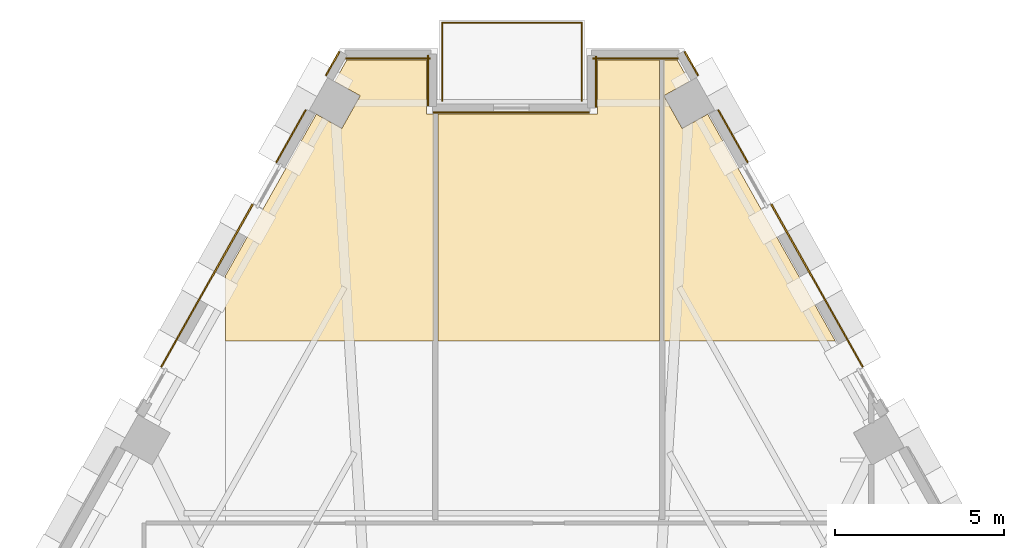
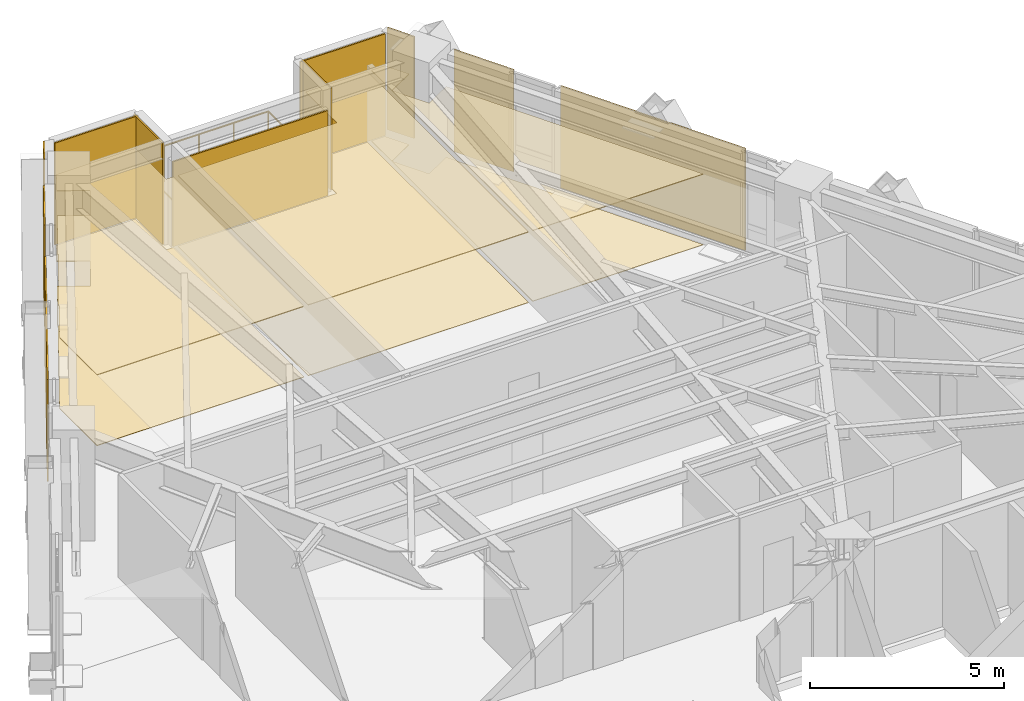
# One storey, part 13 of 13: 17 coverings, 1 railing.
"""IFC4 building model written with IfcOpenShell, lengths in metres."""

from ifc_helpers import new_model, si_unit, direction, frame, origin, origin_2d, place, context, subcontext, project, spatial, polyline, circle, outline, extrude, material, layer, layer_set, type_object, element, save


model = new_model("IFC4")

# Units and contexts
model_context = context("Model", 3, precision=1e-05, world=origin(), true_north=direction((0.0, 1.0)))
body_context = subcontext(model_context, "Body", "Model", "MODEL_VIEW")
ifc_project = project(units=[si_unit("LENGTHUNIT", "METRE"), si_unit("AREAUNIT", "SQUARE_METRE"), si_unit("VOLUMEUNIT", "CUBIC_METRE"), si_unit("PLANEANGLEUNIT", "RADIAN"), si_unit("MASSUNIT", "GRAM", prefix="KILO")], contexts=[model_context])

# Site, building, storey
site_placement = place(None, origin())
site = spatial("IfcSite", under=ifc_project, at=site_placement, CompositionType="ELEMENT")
building_placement = place(site_placement, origin())
building = spatial("IfcBuilding", under=site, at=building_placement, Name="Quenlor Broadcast Tower", CompositionType="ELEMENT")
storey_placement = place(building_placement, frame((0.0, 0.0, 95.0)))
storey = spatial("IfcBuildingStorey", under=building, at=storey_placement, Name="L25", CompositionType="ELEMENT", Elevation=95.0)

# Coverings
ifc_material_1 = material(Name="Acoustic Mineral Fibre Board", Category="other")
ifc_layer_1 = layer(ifc_material_1, 0.02490234375)
ifc_layer_set_1 = layer_set([ifc_layer_1], Name="Acoustic Perforated Mineral Tile Ceiling 25")
covering_type_1 = type_object("IfcCoveringType", Name="Acoustic Perforated Mineral Tile Ceiling 25", PredefinedType="CEILING", material=ifc_layer_set_1)
covering_1_placement = place(storey_placement, frame((0.0, 0.0, 2.22509765625)))
element("IfcCovering", 1, at=covering_1_placement, inside=storey, type_object=covering_type_1, Name="L25 Acoustic Ceiling L25-31-2", PredefinedType="CEILING", context=body_context, shape_type="SweptSolid", body=[
    extrude(outline(polyline([(4.3798828125, 12.64990234375), (-2.199951171875, 12.64990234375), (-2.199951171875, 19.387939453125), (2.5400390625, 19.387939453125), (2.5400390625, 20.988037109375), (4.3798828125, 20.988037109375), (4.3798828125, 12.64990234375)])), origin(), (0.0, 0.0, 1.0), 0.02490234375),
])
covering_2_placement = place(storey_placement, frame((0.0, 0.0, 2.22509765625)))
element("IfcCovering", 2, at=covering_2_placement, inside=storey, type_object=covering_type_1, Name="L25 Acoustic Ceiling L25-32-2", PredefinedType="CEILING", context=body_context, shape_type="SweptSolid", body=[
    extrude(outline(polyline([(-2.320068359375, 19.387939453125), (-2.320068359375, 12.64990234375), (-8.5, 12.64990234375), (-8.5, 14.595458984375), (-5.805908203125, 19.384765625), (-5.049560546875, 18.959228515625), (-4.50244140625, 19.931884765625), (-5.2587890625, 20.357421875), (-4.904296875, 20.988037109375), (-2.5400390625, 20.988037109375), (-2.5400390625, 19.387939453125), (-2.320068359375, 19.387939453125)])), origin(), (0.0, 0.0, 1.0), 0.02490234375),
])
covering_3_placement = place(storey_placement, frame((0.0, 0.0, 2.22509765625)))
element("IfcCovering", 3, at=covering_3_placement, inside=storey, type_object=covering_type_1, Name="L25 Acoustic Ceiling L25-33-2", PredefinedType="CEILING", context=body_context, shape_type="SweptSolid", body=[
    extrude(outline(polyline([(5.049560546875, 18.959228515625), (5.805908203125, 19.384765625), (9.59423828125, 12.64990234375), (4.5, 12.64990234375), (4.5, 20.988037109375), (4.904296875, 20.988037109375), (5.2587890625, 20.357421875), (4.50244140625, 19.931884765625), (5.049560546875, 18.959228515625)])), origin(), (0.0, 0.0, 1.0), 0.02490234375),
])
ifc_material_2 = material(Name="Architectural Terracotta Ceramic", Category="masonry")
ifc_layer_2 = layer(ifc_material_2, 0.044921875)
ifc_layer_set_2 = layer_set([ifc_layer_2], Name="Fluted Terracotta Rainscreen Cladding Panel")
covering_type_2 = type_object("IfcCoveringType", Name="Fluted Terracotta Rainscreen Cladding Panel", PredefinedType="CLADDING", material=ifc_layer_set_2)
covering_4_placement = place(storey_placement, frame((0.0, 0.0, 0.02001953125)))
element("IfcCovering", 4, at=covering_4_placement, inside=storey, type_object=covering_type_2, Name="L25 Terracotta Rainscreen Cladding L25-SHD-NES0", PredefinedType="CLADDING", context=body_context, shape_type="SweptSolid", body=[
    extrude(outline(polyline([(5.105224609375, 21.22607421875), (5.5, 20.524169921875), (5.539306640625, 20.546142578125), (5.144287109375, 21.248046875), (5.105224609375, 21.22607421875)])), origin(), (0.0, 0.0, 1.0), 3.2099609375),
])
covering_5_placement = place(storey_placement, frame((0.0, 0.0, 0.02001953125)))
element("IfcCovering", 5, at=covering_5_placement, inside=storey, type_object=covering_type_2, Name="L25 Terracotta Rainscreen Cladding L25-NEA-SP1", PredefinedType="CLADDING", context=body_context, shape_type="SweptSolid", body=[
    extrude(outline(polyline([(6.10107421875, 19.496826171875), (6.97509765625, 17.9423828125), (7.014404296875, 17.964599609375), (6.14013671875, 19.518798828125), (6.10107421875, 19.496826171875)])), origin(), (0.0, 0.0, 1.0), 3.2099609375),
])
covering_6_placement = place(storey_placement, frame((0.0, 0.0, 0.02001953125)))
element("IfcCovering", 6, at=covering_6_placement, inside=storey, type_object=covering_type_2, Name="L25 Terracotta Rainscreen Cladding L25-NEA-SP2", PredefinedType="CLADDING", context=body_context, shape_type="SweptSolid", body=[
    extrude(outline(polyline([(7.673583984375, 16.700927734375), (10.38818359375, 11.874755859375), (10.427490234375, 11.896728515625), (7.712890625, 16.722900390625), (7.673583984375, 16.700927734375)])), origin(), (0.0, 0.0, 1.0), 3.2099609375),
])
covering_7_placement = place(storey_placement, frame((0.0, 0.0, 0.02001953125)))
element("IfcCovering", 7, at=covering_7_placement, inside=storey, type_object=covering_type_2, Name="L25 Terracotta Rainscreen Cladding L25-SHD-NWS1", PredefinedType="CLADDING", context=body_context, shape_type="SweptSolid", body=[
    extrude(outline(polyline([(-5.5, 20.524169921875), (-5.105224609375, 21.22607421875), (-5.144287109375, 21.248046875), (-5.539306640625, 20.546142578125), (-5.5, 20.524169921875)])), origin(), (0.0, 0.0, 1.0), 3.2099609375),
])
covering_8_placement = place(storey_placement, frame((0.0, 0.0, 0.02001953125)))
element("IfcCovering", 8, at=covering_8_placement, inside=storey, type_object=covering_type_2, Name="L25 Terracotta Rainscreen Cladding L25-NWC-SP2", PredefinedType="CLADDING", context=body_context, shape_type="SweptSolid", body=[
    extrude(outline(polyline([(-10.38818359375, 11.874755859375), (-7.673583984375, 16.700927734375), (-7.712890625, 16.722900390625), (-10.427490234375, 11.896728515625), (-10.38818359375, 11.874755859375)])), origin(), (0.0, 0.0, 1.0), 3.2099609375),
])
covering_9_placement = place(storey_placement, frame((0.0, 0.0, 0.02001953125)))
element("IfcCovering", 9, at=covering_9_placement, inside=storey, type_object=covering_type_2, Name="L25 Terracotta Rainscreen Cladding L25-NWC-SP3", PredefinedType="CLADDING", context=body_context, shape_type="SweptSolid", body=[
    extrude(outline(polyline([(-6.97509765625, 17.9423828125), (-6.10107421875, 19.496826171875), (-6.14013671875, 19.518798828125), (-7.014404296875, 17.964599609375), (-6.97509765625, 17.9423828125)])), origin(), (0.0, 0.0, 1.0), 3.2099609375),
])
covering_10_placement = place(storey_placement, frame((0.0, 0.0, 0.02001953125)))
element("IfcCovering", 10, at=covering_10_placement, inside=storey, type_object=covering_type_2, Name="L25 Terracotta Rainscreen Cladding L25-CNR-06", PredefinedType="CLADDING", context=body_context, shape_type="SweptSolid", body=[
    extrude(outline(polyline([(4.929443359375, 21.055908203125), (2.389892578125, 21.055908203125), (2.389892578125, 21.010986328125), (4.929443359375, 21.010986328125), (4.929443359375, 21.055908203125)])), origin(), (0.0, 0.0, 1.0), 3.2099609375),
])
covering_11_placement = place(storey_placement, frame((0.0, 0.0, 0.02001953125)))
element("IfcCovering", 11, at=covering_11_placement, inside=storey, type_object=covering_type_2, Name="L25 Terracotta Rainscreen Cladding L25-CNR-07", PredefinedType="CLADDING", context=body_context, shape_type="SweptSolid", body=[
    extrude(outline(polyline([(2.471923828125, 21.097900390625), (2.471923828125, 19.597900390625), (2.51708984375, 19.597900390625), (2.51708984375, 21.097900390625), (2.471923828125, 21.097900390625)])), origin(), (0.0, 0.0, 1.0), 3.2099609375),
])
covering_12_placement = place(storey_placement, frame((0.0, 0.0, 0.02001953125)))
element("IfcCovering", 12, at=covering_12_placement, inside=storey, type_object=covering_type_2, Name="L25 Terracotta Rainscreen Cladding L25-CNR-08", PredefinedType="CLADDING", context=body_context, shape_type="SweptSolid", body=[
    extrude(outline(polyline([(2.2900390625, 19.4560546875), (-2.330078125, 19.4560546875), (-2.330078125, 19.410888671875), (2.2900390625, 19.410888671875), (2.2900390625, 19.4560546875)])), origin(), (0.0, 0.0, 1.0), 2.681884765625),
])
covering_13_placement = place(storey_placement, frame((0.0, 0.0, 0.02001953125)))
element("IfcCovering", 13, at=covering_13_placement, inside=storey, type_object=covering_type_2, Name="L25 Terracotta Rainscreen Cladding L25-CNR-09", PredefinedType="CLADDING", context=body_context, shape_type="SweptSolid", body=[
    extrude(outline(polyline([(-2.471923828125, 19.637939453125), (-2.471923828125, 21.137939453125), (-2.51708984375, 21.137939453125), (-2.51708984375, 19.637939453125), (-2.471923828125, 19.637939453125)])), origin(), (0.0, 0.0, 1.0), 3.2099609375),
])
covering_14_placement = place(storey_placement, frame((0.0, 0.0, 0.02001953125)))
element("IfcCovering", 14, at=covering_14_placement, inside=storey, type_object=covering_type_2, Name="L25 Terracotta Rainscreen Cladding L25-CNR-10", PredefinedType="CLADDING", context=body_context, shape_type="SweptSolid", body=[
    extrude(outline(polyline([(-2.429931640625, 21.055908203125), (-4.929443359375, 21.055908203125), (-4.929443359375, 21.010986328125), (-2.429931640625, 21.010986328125), (-2.429931640625, 21.055908203125)])), origin(), (0.0, 0.0, 1.0), 3.2099609375),
])

# Railing
ifc_material_3 = material(Name="Anodised Aluminium", Category="aluminium")
railing_type = type_object("IfcRailingType", Name="Laminated Glass and Steel Perimeter Balustrade 1150", PredefinedType="BALUSTRADE", material=ifc_material_3)
railing_placement = place(storey_placement, frame((-2.070068359375, 19.780029296875, 0.0)))
element("IfcRailing", 15, at=railing_placement, inside=storey, type_object=railing_type, Name="L25 Outdoor Terrace Perimeter Balustrade", PredefinedType="BALUSTRADE", context=body_context, shape_type="SweptSolid", body=[
    extrude(circle(Radius=0.02392578125, at=origin_2d()), frame((0.0, 0.0, 1.1259765625), z_axis=(0.0, 1.0, 0.0), x_axis=(-1.0, 0.0, 0.0)), (0.0, 0.0, 1.0), 2.320068359375),
    extrude(circle(Radius=0.02392578125, at=origin_2d()), frame((0.0, 2.320068359375, 1.1259765625), z_axis=(1.0, 0.0, 0.0), x_axis=(0.0, 1.0, 0.0)), (0.0, 0.0, 1.0), 4.14013671875),
    extrude(circle(Radius=0.02392578125, at=origin_2d()), frame((4.14013671875, 2.320068359375, 1.1259765625), z_axis=(0.0, -1.0, 0.0), x_axis=(1.0, 0.0, 0.0)), (0.0, 0.0, 1.0), 2.320068359375),
    extrude(circle(Radius=0.02099609375, at=origin_2d()), origin(), (0.0, 0.0, 1.0), 1.101806640625),
    extrude(circle(Radius=0.02099609375, at=origin_2d()), frame((0.0, 1.16015625, 0.0)), (0.0, 0.0, 1.0), 1.101806640625),
    extrude(circle(Radius=0.02099609375, at=origin_2d()), frame((0.0, 2.320068359375, 0.0)), (0.0, 0.0, 1.0), 1.101806640625),
    extrude(circle(Radius=0.02099609375, at=origin_2d()), frame((1.03515625, 2.320068359375, 0.0)), (0.0, 0.0, 1.0), 1.101806640625),
    extrude(circle(Radius=0.02099609375, at=origin_2d()), frame((2.070068359375, 2.320068359375, 0.0)), (0.0, 0.0, 1.0), 1.101806640625),
    extrude(circle(Radius=0.02099609375, at=origin_2d()), frame((3.10498046875, 2.320068359375, 0.0)), (0.0, 0.0, 1.0), 1.101806640625),
    extrude(circle(Radius=0.02099609375, at=origin_2d()), frame((4.14013671875, 2.320068359375, 0.0)), (0.0, 0.0, 1.0), 1.101806640625),
    extrude(circle(Radius=0.02099609375, at=origin_2d()), frame((4.14013671875, 1.16015625, 0.0)), (0.0, 0.0, 1.0), 1.101806640625),
    extrude(circle(Radius=0.02099609375, at=origin_2d()), frame((4.14013671875, 0.0, 0.0)), (0.0, 0.0, 1.0), 1.101806640625),
])

# Coverings
ifc_material_4 = material(Name="Terrazzo Stone Finish", Category="masonry")
ifc_layer_3 = layer(ifc_material_4, 0.02001953125)
ifc_layer_set_3 = layer_set([ifc_layer_3], Name="Polished Sandstone Terrazzo Flooring 20")
covering_type_3 = type_object("IfcCoveringType", Name="Polished Sandstone Terrazzo Flooring 20", PredefinedType="FLOORING", material=ifc_layer_set_3)
covering_15_placement = place(storey_placement, origin())
element("IfcCovering", 16, at=covering_15_placement, inside=storey, type_object=covering_type_3, Name="L25 Terrazzo Flooring L25-31-2", PredefinedType="FLOORING", context=body_context, shape_type="SweptSolid", body=[
    extrude(outline(polyline([(4.3798828125, 12.64990234375), (-2.199951171875, 12.64990234375), (-2.199951171875, 19.387939453125), (2.5400390625, 19.387939453125), (2.5400390625, 20.988037109375), (4.3798828125, 20.988037109375), (4.3798828125, 12.64990234375)])), origin(), (0.0, 0.0, 1.0), 0.02001953125),
])
covering_16_placement = place(storey_placement, origin())
element("IfcCovering", 17, at=covering_16_placement, inside=storey, type_object=covering_type_3, Name="L25 Terrazzo Flooring L25-32-2", PredefinedType="FLOORING", context=body_context, shape_type="SweptSolid", body=[
    extrude(outline(polyline([(-2.320068359375, 19.387939453125), (-2.320068359375, 12.64990234375), (-8.5, 12.64990234375), (-8.5, 14.595458984375), (-5.805908203125, 19.384765625), (-5.049560546875, 18.959228515625), (-4.50244140625, 19.931884765625), (-5.2587890625, 20.357421875), (-4.904296875, 20.988037109375), (-2.5400390625, 20.988037109375), (-2.5400390625, 19.387939453125), (-2.320068359375, 19.387939453125)])), origin(), (0.0, 0.0, 1.0), 0.02001953125),
])
covering_17_placement = place(storey_placement, origin())
element("IfcCovering", 18, at=covering_17_placement, inside=storey, type_object=covering_type_3, Name="L25 Terrazzo Flooring L25-33-2", PredefinedType="FLOORING", context=body_context, shape_type="SweptSolid", body=[
    extrude(outline(polyline([(5.049560546875, 18.959228515625), (5.805908203125, 19.384765625), (9.59423828125, 12.64990234375), (4.5, 12.64990234375), (4.5, 20.988037109375), (4.904296875, 20.988037109375), (5.2587890625, 20.357421875), (4.50244140625, 19.931884765625), (5.049560546875, 18.959228515625)])), origin(), (0.0, 0.0, 1.0), 0.02001953125),
])

save(model, "model.ifc")
